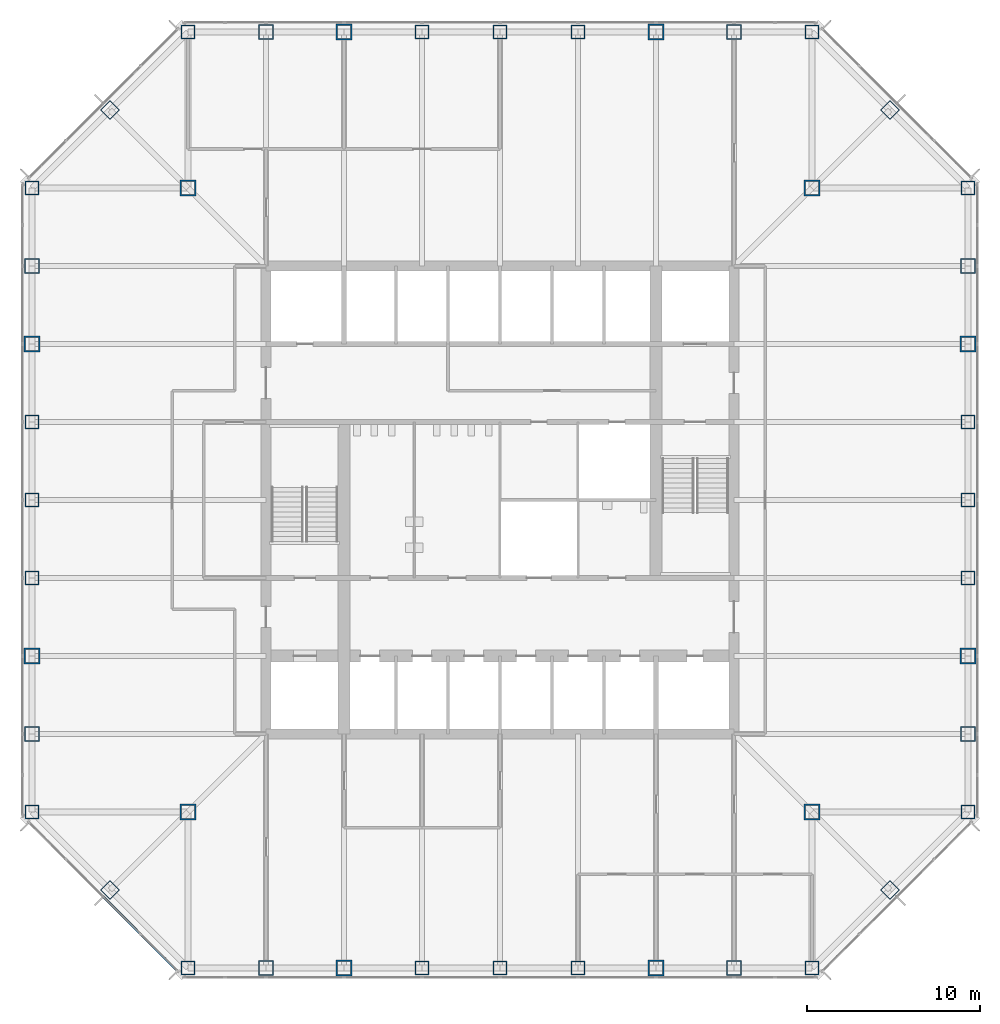
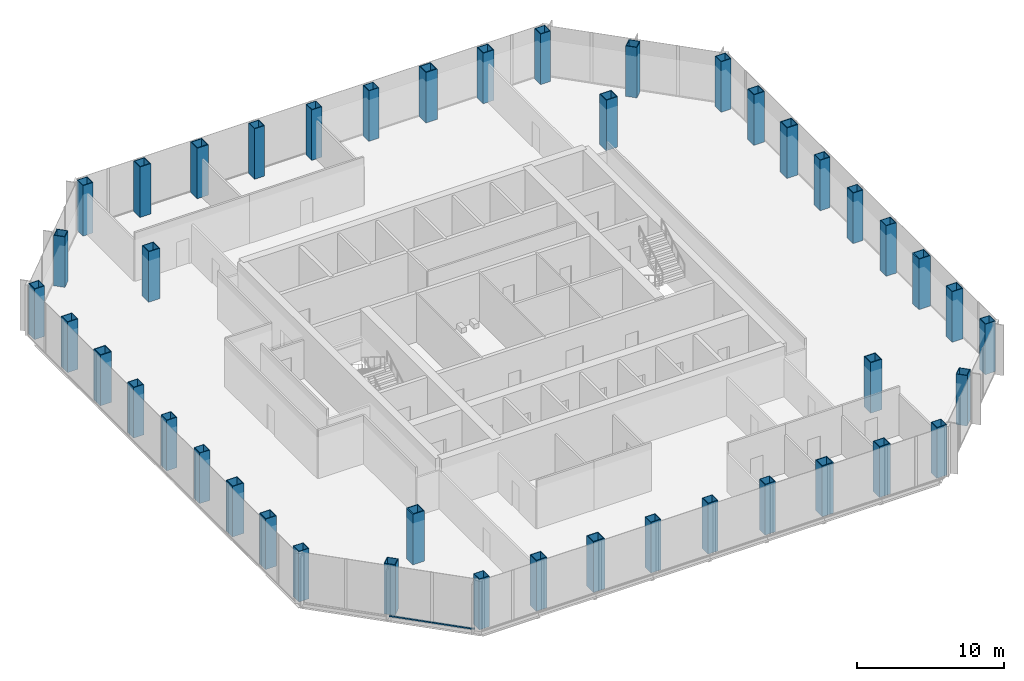
# One storey, part 1 of 12: 44 columns, 2 members, 1 element without a shape of its own.
"""IFC4 building model written with IfcOpenShell, lengths in metres."""

from ifc_helpers import new_model, si_unit, direction, frame, origin, origin_2d, place, context, subcontext, project, spatial, rectangle, hollow_rectangle, extrude, material, material_profile, profile_set, type_object, element, aggregate, save


model = new_model("IFC4")

# Units and contexts
model_context = context("Model", 3, precision=1e-05, world=origin(), true_north=direction((0.0, 1.0)))
body_context = subcontext(model_context, "Body", "Model", "MODEL_VIEW")
ifc_project = project(units=[si_unit("LENGTHUNIT", "METRE"), si_unit("AREAUNIT", "SQUARE_METRE"), si_unit("VOLUMEUNIT", "CUBIC_METRE"), si_unit("PLANEANGLEUNIT", "RADIAN"), si_unit("MASSUNIT", "GRAM", prefix="KILO")], contexts=[model_context])

# Site, building, storey
site_placement = place(None, origin())
site = spatial("IfcSite", under=ifc_project, at=site_placement, CompositionType="ELEMENT")
building_placement = place(site_placement, origin())
building = spatial("IfcBuilding", under=site, at=building_placement, Name="Corais Broadcast Tower", CompositionType="ELEMENT")
storey_placement = place(building_placement, frame((0.0, 0.0, 50.0)))
storey = spatial("IfcBuildingStorey", under=building, at=storey_placement, Name="L10", CompositionType="ELEMENT", Elevation=50.0)

# Columns
ifc_material_1 = material(Name="Steel ASTM A572 Grade 50", Category="steel")
ifc_material_profile_1 = material_profile(ifc_material_1, hollow_rectangle(XDim=0.800048828125, YDim=0.800048828125, WallThickness=0.044921875, at=origin_2d()), Name="BOX 800x800x45")
ifc_profile_set_1 = profile_set([ifc_material_profile_1], Name="Steel ASTM A572 Grade 50")
column_type_1 = type_object("IfcColumnType", Name="Column BOX 800x800x45", PredefinedType="COLUMN", material=ifc_profile_set_1)
for number, where, z_axis, x_axis, name in (
    (1, (9.0, 0.0, 0.0), (0.0, 0.0, 1.0), (1.0, 0.0, 0.0), "C3 A/5"),
    (2, (22.5, 0.0, 0.0), (0.0, 0.0, 1.0), (1.0, 0.0, 0.0), "C3 A/8"),
    (3, (27.0, 0.0, 0.0), (0.0, 0.0, 1.0), (1.0, 0.0, 0.0), "C3 A/9"),
    (4, (31.5, 0.0, 0.0), (0.0, 0.0, 1.0), (1.0, 0.0, 0.0), "C3 A/10"),
    (5, (45.0, 0.0, 0.0), (0.0, 0.0, 1.0), (1.0, 0.0, 0.0), "C3 A/13"),
    (6, (54.0, 9.0, 0.0), (0.0, 0.0, 1.0), (1.0, 0.0, 0.0), "C3 C/15"),
    (7, (54.0, 22.5, 0.0), (0.0, 0.0, 1.0), (1.0, 0.0, 0.0), "C3 F/15"),
    (8, (54.0, 27.0, 0.0), (0.0, 0.0, 1.0), (1.0, 0.0, 0.0), "C3 G/15"),
    (9, (54.0, 31.5, 0.0), (0.0, 0.0, 1.0), (1.0, 0.0, 0.0), "C3 H/15"),
    (10, (54.0, 45.0, 0.0), (0.0, 0.0, 1.0), (1.0, 0.0, 0.0), "C3 L/15"),
    (11, (45.0, 54.0, 0.0), (0.0, 0.0, 1.0), (1.0, 0.0, 0.0), "C3 N/13"),
    (12, (31.5, 54.0, 0.0), (0.0, 0.0, 1.0), (1.0, 0.0, 0.0), "C3 N/10"),
    (13, (27.0, 54.0, 0.0), (0.0, 0.0, 1.0), (1.0, 0.0, 0.0), "C3 N/9"),
    (14, (22.5, 54.0, 0.0), (0.0, 0.0, 1.0), (1.0, 0.0, 0.0), "C3 N/8"),
    (15, (9.0, 54.0, 0.0), (0.0, 0.0, 1.0), (1.0, 0.0, 0.0), "C3 N/5"),
    (16, (0.0, 45.0, 0.0), (0.0, 0.0, 1.0), (1.0, 0.0, 0.0), "C3 L/3"),
    (17, (0.0, 31.5, 0.0), (0.0, 0.0, 1.0), (1.0, 0.0, 0.0), "C3 H/3"),
    (18, (0.0, 27.0, 0.0), (0.0, 0.0, 1.0), (1.0, 0.0, 0.0), "C3 G/3"),
    (19, (0.0, 22.5, 0.0), (0.0, 0.0, 1.0), (1.0, 0.0, 0.0), "C3 F/3"),
    (20, (0.0, 9.0, 0.0), (0.0, 0.0, 1.0), (1.0, 0.0, 0.0), "C3 C/3"),
    (21, (4.5, 4.5, 0.0), (0.0, 0.0, 1.0), (0.707106781187, 0.707106781187, 0.0), "C3 B/4"),
    (22, (49.5, 4.5, 0.0), (0.0, 0.0, 1.0), (0.707106781187, 0.707106781187, 0.0), "C3 B/14"),
    (23, (49.5, 49.5, 0.0), (0.0, 0.0, 1.0), (0.707106781187, 0.707106781187, 0.0), "C3 M/14"),
    (24, (4.5, 49.5, 0.0), (0.0, 0.0, 1.0), (0.707106781187, 0.707106781187, 0.0), "C3 M/4"),
):
    element("IfcColumn", number, at=place(storey_placement, frame(where, z_axis=z_axis, x_axis=x_axis)), inside=storey, type_object=column_type_1, Name=name, PredefinedType="COLUMN", context=body_context, shape_type="SweptSolid", body=[
        extrude(hollow_rectangle(XDim=0.800048828125, YDim=0.800048828125, WallThickness=0.044921875, at=origin_2d()), origin(), (0.0, 0.0, 1.0), 4.199951171875),
    ])
ifc_material_2 = material(Name="Steel ASTM A572 Grade 50", Category="steel")
ifc_material_profile_2 = material_profile(ifc_material_2, hollow_rectangle(XDim=0.85009765625, YDim=0.85009765625, WallThickness=0.050048828125, at=origin_2d()), Name="BOX 850x850x50")
ifc_profile_set_2 = profile_set([ifc_material_profile_2], Name="Steel ASTM A572 Grade 50")
column_type_2 = type_object("IfcColumnType", Name="Column BOX 850x850x50", PredefinedType="COLUMN", material=ifc_profile_set_2)
for number, where, z_axis, x_axis, name in (
    (25, (13.5, 0.0, 0.0), (0.0, 0.0, 1.0), (1.0, 0.0, 0.0), "C1 A/6"),
    (26, (40.5, 0.0, 0.0), (0.0, 0.0, 1.0), (1.0, 0.0, 0.0), "C1 A/12"),
    (27, (54.0, 13.5, 0.0), (0.0, 0.0, 1.0), (1.0, 0.0, 0.0), "C1 D/15"),
    (28, (54.0, 40.5, 0.0), (0.0, 0.0, 1.0), (1.0, 0.0, 0.0), "C1 K/15"),
    (29, (40.5, 54.0, 0.0), (0.0, 0.0, 1.0), (1.0, 0.0, 0.0), "C1 N/12"),
    (30, (13.5, 54.0, 0.0), (0.0, 0.0, 1.0), (1.0, 0.0, 0.0), "C1 N/6"),
    (31, (0.0, 40.5, 0.0), (0.0, 0.0, 1.0), (1.0, 0.0, 0.0), "C1 K/3"),
    (32, (0.0, 13.5, 0.0), (0.0, 0.0, 1.0), (1.0, 0.0, 0.0), "C1 D/3"),
):
    element("IfcColumn", number, at=place(storey_placement, frame(where, z_axis=z_axis, x_axis=x_axis)), inside=storey, type_object=column_type_2, Name=name, PredefinedType="COLUMN", context=body_context, shape_type="SweptSolid", body=[
        extrude(hollow_rectangle(XDim=0.85009765625, YDim=0.85009765625, WallThickness=0.050048828125, at=origin_2d()), origin(), (0.0, 0.0, 1.0), 4.199951171875),
    ])
ifc_material_3 = material(Name="Steel ASTM A572 Grade 50", Category="steel")
ifc_material_profile_3 = material_profile(ifc_material_3, hollow_rectangle(XDim=0.89990234375, YDim=0.89990234375, WallThickness=0.06298828125, at=origin_2d()), Name="BOX 900x900x63")
ifc_profile_set_3 = profile_set([ifc_material_profile_3], Name="Steel ASTM A572 Grade 50")
column_type_3 = type_object("IfcColumnType", Name="Column BOX 900x900x63", PredefinedType="COLUMN", material=ifc_profile_set_3)
for number, where, z_axis, x_axis, name in (
    (33, (18.0, 0.0, 0.0), (0.0, 0.0, 1.0), (1.0, 0.0, 0.0), "C2 A/7"),
    (34, (36.0, 0.0, 0.0), (0.0, 0.0, 1.0), (1.0, 0.0, 0.0), "C2 A/11"),
    (35, (54.0, 18.0, 0.0), (0.0, 0.0, 1.0), (1.0, 0.0, 0.0), "C2 E/15"),
    (36, (54.0, 36.0, 0.0), (0.0, 0.0, 1.0), (1.0, 0.0, 0.0), "C2 J/15"),
    (37, (36.0, 54.0, 0.0), (0.0, 0.0, 1.0), (1.0, 0.0, 0.0), "C2 N/11"),
    (38, (18.0, 54.0, 0.0), (0.0, 0.0, 1.0), (1.0, 0.0, 0.0), "C2 N/7"),
    (39, (0.0, 36.0, 0.0), (0.0, 0.0, 1.0), (1.0, 0.0, 0.0), "C2 J/3"),
    (40, (0.0, 18.0, 0.0), (0.0, 0.0, 1.0), (1.0, 0.0, 0.0), "C2 E/3"),
    (41, (9.0, 9.0, 0.0), (0.0, 0.0, 1.0), (1.0, 0.0, 0.0), "C2 C/5"),
    (42, (45.0, 9.0, 0.0), (0.0, 0.0, 1.0), (1.0, 0.0, 0.0), "C2 C/13"),
    (43, (45.0, 45.0, 0.0), (0.0, 0.0, 1.0), (1.0, 0.0, 0.0), "C2 L/13"),
    (44, (9.0, 45.0, 0.0), (0.0, 0.0, 1.0), (1.0, 0.0, 0.0), "C2 L/5"),
):
    element("IfcColumn", number, at=place(storey_placement, frame(where, z_axis=z_axis, x_axis=x_axis)), inside=storey, type_object=column_type_3, Name=name, PredefinedType="COLUMN", context=body_context, shape_type="SweptSolid", body=[
        extrude(hollow_rectangle(XDim=0.89990234375, YDim=0.89990234375, WallThickness=0.06298828125, at=origin_2d()), origin(), (0.0, 0.0, 1.0), 4.199951171875),
    ])

# Curtain wall, members
ifc_material_4 = material(Name="Aluminium and glass", Category="aluminium")
curtain_wall_type = type_object("IfcCurtainWallType", Name="Unitised fritted curtain wall CW1", PredefinedType="NOTDEFINED", material=ifc_material_4)
curtain_wall_placement = place(storey_placement, origin())
curtain_wall = element("IfcCurtainWall", 45, at=curtain_wall_placement, inside=storey, type_object=curtain_wall_type, Name="CW1 curtain wall L10 1", PredefinedType="NOTDEFINED")
ifc_material_5 = material(Name="Aluminium 6063-T6", Category="aluminium")
ifc_material_profile_4 = material_profile(ifc_material_5, rectangle(XDim=0.139892578125, YDim=0.06494140625, at=origin_2d()), Name="Transom CW1 65x140")
ifc_profile_set_4 = profile_set([ifc_material_profile_4], Name="Aluminium 6063-T6")
member_type = type_object("IfcMemberType", Name="Transom CW1 65x140", PredefinedType="USERDEFINED", material=ifc_profile_set_4)
member_1_placement = place(storey_placement, frame((8.37255859375, -0.150390625, 0.032470703125), z_axis=(-0.707106781187, 0.707106781187, 0.0), x_axis=(-0.707106781187, -0.707106781187, 0.0)))
member_1 = element("IfcMember", 46, at=member_1_placement, type_object=member_type, Name="CW1 transom 1.1", ObjectType="TRANSOM", PredefinedType="USERDEFINED", context=body_context, shape_type="SweptSolid", body=[
    extrude(rectangle(XDim=0.139892578125, YDim=0.06494140625, at=origin_2d()), origin(), (0.0, 0.0, 1.0), 2.9482421875),
])
member_2_placement = place(storey_placement, frame((6.241943359375, 1.980224609375, 0.032470703125), z_axis=(-0.707106781187, 0.707106781187, 0.0), x_axis=(-0.707106781187, -0.707106781187, 0.0)))
member_2 = element("IfcMember", 47, at=member_2_placement, type_object=member_type, Name="CW1 transom 2.1", ObjectType="TRANSOM", PredefinedType="USERDEFINED", context=body_context, shape_type="SweptSolid", body=[
    extrude(rectangle(XDim=0.139892578125, YDim=0.06494140625, at=origin_2d()), origin(), (0.0, 0.0, 1.0), 2.98095703125),
])
aggregate(curtain_wall, [member_1, member_2])

save(model, "model.ifc")
